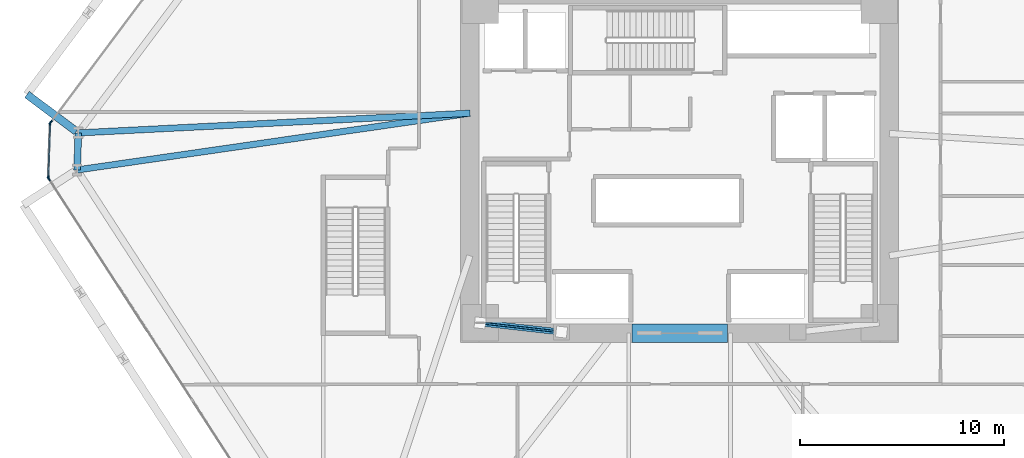
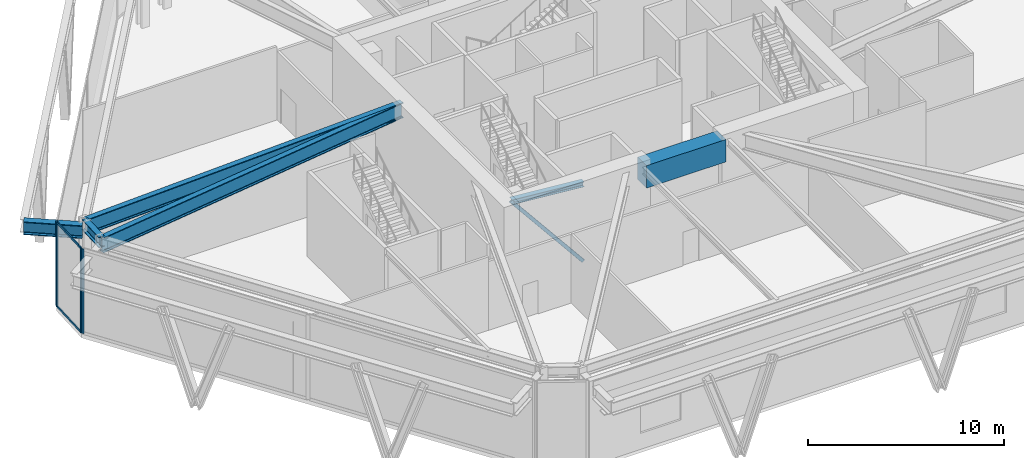
# One storey, part 4 of 19: 7 members, 6 beams, 3 elements without a shape of their own.
"""IFC4 building model written with IfcOpenShell, lengths in metres."""

from ifc_helpers import new_model, si_unit, direction, frame, origin, origin_2d, place, context, subcontext, project, spatial, rectangle, hollow_rectangle, i_section, extrude, source, transform, mapped, material, layer, layer_set, material_profile, profile_set, type_object, type_shapes, element, aggregate, save


model = new_model("IFC4")

# Units and contexts
model_context = context("Model", 3, precision=1e-05, world=origin(), true_north=direction((0.0, 1.0)))
body_context = subcontext(model_context, "Body", "Model", "MODEL_VIEW")
ifc_project = project(units=[si_unit("LENGTHUNIT", "METRE"), si_unit("AREAUNIT", "SQUARE_METRE"), si_unit("VOLUMEUNIT", "CUBIC_METRE"), si_unit("PLANEANGLEUNIT", "RADIAN"), si_unit("MASSUNIT", "GRAM", prefix="KILO")], contexts=[model_context])

# Site, building, storey
site_placement = place(None, origin())
site = spatial("IfcSite", under=ifc_project, at=site_placement, CompositionType="ELEMENT")
building_placement = place(site_placement, origin())
building = spatial("IfcBuilding", under=site, at=building_placement, Name="Durnholm Broadcast Tower", CompositionType="ELEMENT")
storey_placement = place(building_placement, frame((0.0, 0.0, 15.60009765625)))
storey = spatial("IfcBuildingStorey", under=building, at=storey_placement, Name="L03", CompositionType="ELEMENT", Elevation=15.60009765625)

# Beams
ifc_material_1 = material(Name="Concrete C70/85", Category="concrete")
ifc_material_profile_1 = material_profile(ifc_material_1, rectangle(XDim=0.89990234375, YDim=1.39990234375, at=origin_2d()), Name="RC900X1400")
ifc_profile_set_1 = profile_set([ifc_material_profile_1], Name="Concrete C70/85")
beam_type_1 = type_object("IfcBeamType", Name="BM-CB-RC1400", PredefinedType="LINTEL", material=ifc_profile_set_1)
shared_shape_1 = source(origin(), body_context, "Body", "SweptSolid", [
    extrude(rectangle(XDim=0.89990234375, YDim=1.39990234375, at=origin_2d()), origin(), (0.0, 0.0, 1.0), 4.7001953125),
])
type_shapes(beam_type_1, [shared_shape_1])
beam_1_placement = place(storey_placement, frame((-2.35009765625, -8.300048828125, 4.574951171875), z_axis=(1.0, 0.0, 0.0), x_axis=(0.0, 1.0, 0.0)))
element("IfcBeam", 1, at=beam_1_placement, inside=storey, type_object=beam_type_1, Name="L03 south core coupling lintel beam CB-S", PredefinedType="LINTEL", context=body_context, shape_type="MappedRepresentation", body=[
    mapped(shared_shape_1, transform((0.0, 0.0, 0.0), x_axis=(1.0, 0.0, 0.0), y_axis=(0.0, 1.0, 0.0), z_axis=(0.0, 0.0, 1.0), scale=1.0)),
])
ifc_material_2 = material(Name="Steel ASTM A992 Grade 50", Category="steel")
ifc_material_profile_2 = material_profile(ifc_material_2, i_section(OverallWidth=0.3330078125, OverallDepth=0.660888671875, WebThickness=0.0244140625, FlangeThickness=0.0439453125, FilletRadius=0.02783203125, at=origin_2d()), Name="W24X229")
ifc_profile_set_2 = profile_set([ifc_material_profile_2], Name="Steel ASTM A992 Grade 50")
beam_type_2 = type_object("IfcBeamType", Name="STL-SP-W24X229", PredefinedType="SPANDREL", material=ifc_profile_set_2)
shared_shape_2 = source(origin(), body_context, "Body", "SweptSolid", [
    extrude(i_section(OverallWidth=0.3330078125, OverallDepth=0.660888671875, WebThickness=0.0244140625, FlangeThickness=0.0439453125, FilletRadius=0.02783203125, at=origin_2d()), origin(), (0.0, 0.0, 1.0), 1.820068359375),
])
type_shapes(beam_type_2, [shared_shape_2])
beam_2_placement = place(storey_placement, frame((-29.590576171875, -0.28857421875, 4.934326171875), z_axis=(0.033667655889, 0.999433083776, 0.0), x_axis=(-0.999433083776, 0.033667655889, 0.0)))
element("IfcBeam", 2, at=beam_2_placement, inside=storey, type_object=beam_type_2, Name="L03 perimeter spandrel girder 02", PredefinedType="SPANDREL", context=body_context, shape_type="MappedRepresentation", body=[
    mapped(shared_shape_2, transform((0.0, 0.0, 0.0), x_axis=(1.0, 0.0, 0.0), y_axis=(0.0, 1.0, 0.0), z_axis=(0.0, 0.0, 1.0), scale=1.0)),
])
ifc_material_profile_3 = material_profile(ifc_material_2, i_section(OverallWidth=0.3046875, OverallDepth=0.307861328125, WebThickness=0.010009765625, FlangeThickness=0.015380859375, FilletRadius=0.019287109375, at=origin_2d()), Name="W12X65")
ifc_profile_set_3 = profile_set([ifc_material_profile_3], Name="Steel ASTM A992 Grade 50")
beam_type_3 = type_object("IfcBeamType", Name="STL-BL-W12X65", PredefinedType="LINTEL", material=ifc_profile_set_3)
shared_shape_3 = source(origin(), body_context, "Body", "SweptSolid", [
    extrude(i_section(OverallWidth=0.3046875, OverallDepth=0.307861328125, WebThickness=0.010009765625, FlangeThickness=0.015380859375, FilletRadius=0.019287109375, at=origin_2d()), origin(), (0.0, 0.0, 1.0), 4.025146484375),
])
type_shapes(beam_type_3, [shared_shape_3])
beam_3_placement = place(storey_placement, frame((-5.800048828125, -8.25, 5.111083984375), z_axis=(-0.993732663715, 0.111782794142, 0.0), x_axis=(-0.111782794142, -0.993732663715, 0.0)))
element("IfcBeam", 3, at=beam_3_placement, inside=storey, type_object=beam_type_3, Name="L03 west pilaster tie lintel", PredefinedType="LINTEL", context=body_context, shape_type="MappedRepresentation", body=[
    mapped(shared_shape_3, transform((0.0, 0.0, 0.0), x_axis=(1.0, 0.0, 0.0), y_axis=(0.0, 1.0, 0.0), z_axis=(0.0, 0.0, 1.0), scale=1.0)),
])
ifc_material_profile_4 = material_profile(ifc_material_2, i_section(OverallWidth=0.385009765625, OverallDepth=0.802978515625, WebThickness=0.023681640625, FlangeThickness=0.0419921875, FilletRadius=0.032958984375, at=origin_2d()), Name="W30X261")
ifc_profile_set_4 = profile_set([ifc_material_profile_4], Name="Steel ASTM A992 Grade 50")
beam_type_4 = type_object("IfcBeamType", Name="BM-EXO-TIE", PredefinedType="USERDEFINED", material=ifc_profile_set_4)
shared_shape_4 = source(origin(), body_context, "Body", "SweptSolid", [
    extrude(i_section(OverallWidth=0.385009765625, OverallDepth=0.802978515625, WebThickness=0.023681640625, FlangeThickness=0.0419921875, FilletRadius=0.032958984375, at=origin_2d()), origin(), (0.0, 0.0, 1.0), 3.024169921875),
])
type_shapes(beam_type_4, [shared_shape_4])
beam_4_placement = place(storey_placement, frame((-29.63037109375, 1.60595703125, 4.5283203125), z_axis=(-0.800609912919, 0.599185920509, 0.0), x_axis=(-0.599185920509, -0.800609912919, 0.0)))
element("IfcBeam", 4, at=beam_4_placement, inside=storey, type_object=beam_type_4, Name="L03 exoskeleton stand-off tie bracket F5.2", ObjectType="GIRDER", PredefinedType="USERDEFINED", context=body_context, shape_type="MappedRepresentation", body=[
    mapped(shared_shape_4, transform((0.0, 0.0, 0.0), x_axis=(1.0, 0.0, 0.0), y_axis=(0.0, 1.0, 0.0), z_axis=(0.0, 0.0, 1.0), scale=1.0)),
])
ifc_material_profile_5 = material_profile(ifc_material_2, i_section(OverallWidth=0.310302734375, OverallDepth=0.950439453125, WebThickness=0.0244140625, FlangeThickness=0.0439453125, FilletRadius=0.0380859375, at=origin_2d()), Name="W36X256")
ifc_profile_set_5 = profile_set([ifc_material_profile_5], Name="Steel ASTM A992 Grade 50")
beam_type_5 = type_object("IfcBeamType", Name="STL-GR-W36X256", PredefinedType="USERDEFINED", material=ifc_profile_set_5)
shared_shape_5 = source(origin(), body_context, "Body", "SweptSolid", [
    extrude(i_section(OverallWidth=0.310302734375, OverallDepth=0.950439453125, WebThickness=0.0244140625, FlangeThickness=0.0439453125, FilletRadius=0.0380859375, at=origin_2d()), origin(), (0.0, 0.0, 1.0), 19.490966796875),
])
beam_5_placement = place(storey_placement, frame((-10.300048828125, 2.5, 4.78955078125), z_axis=(-0.989712636446, -0.143069553921, 0.0), x_axis=(0.143069553921, -0.989712636446, 0.0)))
element("IfcBeam", 5, at=beam_5_placement, inside=storey, type_object=beam_type_5, Name="L03 radial primary floor girder 02", ObjectType="GIRDER", PredefinedType="USERDEFINED", context=body_context, shape_type="MappedRepresentation", body=[
    mapped(shared_shape_5, transform((0.0, 0.0, 0.0), x_axis=(1.0, 0.0, 0.0), y_axis=(0.0, 1.0, 0.0), z_axis=(0.0, 0.0, 1.0), scale=1.0)),
])
shared_shape_6 = source(origin(), body_context, "Body", "SweptSolid", [
    extrude(i_section(OverallWidth=0.310302734375, OverallDepth=0.950439453125, WebThickness=0.0244140625, FlangeThickness=0.0439453125, FilletRadius=0.0380859375, at=origin_2d()), origin(), (0.0, 0.0, 1.0), 19.253662109375),
])
type_shapes(beam_type_5, [shared_shape_5, shared_shape_6])
beam_6_placement = place(storey_placement, frame((-10.300048828125, 2.5, 4.78955078125), z_axis=(-0.998731477139, -0.050353118796, 0.0), x_axis=(0.050353118796, -0.998731477139, 0.0)))
element("IfcBeam", 6, at=beam_6_placement, inside=storey, type_object=beam_type_5, Name="L03 radial primary floor girder 03", ObjectType="GIRDER", PredefinedType="USERDEFINED", context=body_context, shape_type="MappedRepresentation", body=[
    mapped(shared_shape_6, transform((0.0, 0.0, 0.0), x_axis=(1.0, 0.0, 0.0), y_axis=(0.0, 1.0, 0.0), z_axis=(0.0, 0.0, 1.0), scale=1.0)),
])

# Member
ifc_material_3 = material(Name="Steel ASTM A500 Grade C", Category="steel")
ifc_material_profile_6 = material_profile(ifc_material_3, hollow_rectangle(XDim=0.1015625, YDim=0.203125, WallThickness=0.00732421875, InnerFilletRadius=0.010986328125, OuterFilletRadius=0.0185546875, at=origin_2d()), Name="HSS8X4X5/16")
ifc_profile_set_6 = profile_set([ifc_material_profile_6], Name="Steel ASTM A500 Grade C")
member_type_1 = type_object("IfcMemberType", Name="STL-STG-HSS8X4", PredefinedType="STRINGER", material=ifc_profile_set_6)
shared_shape_7 = source(origin(), body_context, "Body", "SweptSolid", [
    extrude(hollow_rectangle(XDim=0.1015625, YDim=0.203125, WallThickness=0.00732421875, InnerFilletRadius=0.010986328125, OuterFilletRadius=0.0185546875, at=origin_2d()), origin(), (0.0, 0.0, 1.0), 6.311279296875),
])
type_shapes(member_type_1, [shared_shape_7])
member_1_placement = place(storey_placement, frame((-5.800048828125, -8.25, 0.25), z_axis=(-0.63378316487, 0.071292869437, 0.770218298079), x_axis=(-0.111782794142, -0.993732663715, 0.0)))
element("IfcMember", 7, at=member_1_placement, inside=storey, type_object=member_type_1, Name="L03 core gallery steel stringer brace", PredefinedType="STRINGER", context=body_context, shape_type="MappedRepresentation", body=[
    mapped(shared_shape_7, transform((0.0, 0.0, 0.0), x_axis=(1.0, 0.0, 0.0), y_axis=(0.0, 1.0, 0.0), z_axis=(0.0, 0.0, 1.0), scale=1.0)),
])

# Curtain wall, members
ifc_material_4 = material(Name="Aluminium and Solar Control IGU", Category="aluminium")
ifc_layer_1 = layer(ifc_material_4, 0.1650390625)
ifc_layer_set_1 = layer_set([ifc_layer_1], Name="Aluminium and Solar Control IGU")
curtain_wall_type_1 = type_object("IfcCurtainWallType", Name="CW-SYS-5", PredefinedType="NOTDEFINED", material=ifc_layer_set_1)
curtain_wall_1_placement = place(storey_placement, origin())
curtain_wall_1 = element("IfcCurtainWall", 8, at=curtain_wall_1_placement, inside=storey, type_object=curtain_wall_type_1, Name="L03 curtain wall CW-CORNER CW-L03-CRN-01", PredefinedType="NOTDEFINED")
ifc_material_5 = material(Name="Aluminium 6063-T6", Category="aluminium")
ifc_material_profile_7 = material_profile(ifc_material_5, rectangle(XDim=0.06494140625, YDim=0.1650390625, at=origin_2d()), Name="CWM65X165")
ifc_profile_set_7 = profile_set([ifc_material_profile_7], Name="Aluminium 6063-T6")
member_type_2 = type_object("IfcMemberType", Name="CW-SYS-5-MUL", PredefinedType="MULLION", material=ifc_profile_set_7)
shared_shape_8 = source(origin(), body_context, "Body", "SweptSolid", [
    extrude(rectangle(XDim=0.06494140625, YDim=0.1650390625, at=origin_2d()), origin(), (0.0, 0.0, 1.0), 5.27978515625),
])
type_shapes(member_type_2, [shared_shape_8])
member_2_placement = place(storey_placement, frame((-31.00341796875, -0.64892578125, 0.0), z_axis=(0.0, 0.0, 1.0), x_axis=(-0.999436820621, 0.033556543118, 0.0)))
member_2 = element("IfcMember", 9, at=member_2_placement, type_object=member_type_2, Name="CW-CORNER mullion 1", PredefinedType="MULLION", context=body_context, shape_type="MappedRepresentation", body=[
    mapped(shared_shape_8, transform((0.0, 0.0, 0.0), x_axis=(1.0, 0.0, 0.0), y_axis=(0.0, 1.0, 0.0), z_axis=(0.0, 0.0, 1.0), scale=1.0)),
])
member_3_placement = place(storey_placement, frame((-30.9150390625, 1.984619140625, 0.0), z_axis=(0.0, 0.0, 1.0), x_axis=(-0.999436820621, 0.033556543118, 0.0)))
member_3 = element("IfcMember", 10, at=member_3_placement, type_object=member_type_2, Name="CW-CORNER mullion 2", PredefinedType="MULLION", context=body_context, shape_type="MappedRepresentation", body=[
    mapped(shared_shape_8, transform((0.0, 0.0, 0.0), x_axis=(1.0, 0.0, 0.0), y_axis=(0.0, 1.0, 0.0), z_axis=(0.0, 0.0, 1.0), scale=1.0)),
])
ifc_material_profile_8 = material_profile(ifc_material_5, rectangle(XDim=0.06494140625, YDim=0.1298828125, at=origin_2d()), Name="CWT65X130")
ifc_profile_set_8 = profile_set([ifc_material_profile_8], Name="Aluminium 6063-T6")
member_type_3 = type_object("IfcMemberType", Name="CW-SYS-5-TRN", PredefinedType="USERDEFINED", material=ifc_profile_set_8)
shared_shape_9 = source(origin(), body_context, "Body", "SweptSolid", [
    extrude(rectangle(XDim=0.06494140625, YDim=0.1298828125, at=origin_2d()), origin(), (0.0, 0.0, 1.0), 2.570068359375),
])
type_shapes(member_type_3, [shared_shape_9])
member_4_placement = place(storey_placement, frame((-31.002197265625, -0.616455078125, 0.032470703125), z_axis=(0.033533074398, 0.999437608319, 0.0), x_axis=(-0.999437608319, 0.033533074398, 0.0)))
member_4 = element("IfcMember", 11, at=member_4_placement, type_object=member_type_3, Name="CW-CORNER transom 1.1", ObjectType="TRANSOM", PredefinedType="USERDEFINED", context=body_context, shape_type="MappedRepresentation", body=[
    mapped(shared_shape_9, transform((0.0, 0.0, 0.0), x_axis=(1.0, 0.0, 0.0), y_axis=(0.0, 1.0, 0.0), z_axis=(0.0, 0.0, 1.0), scale=1.0)),
])
member_5_placement = place(storey_placement, frame((-31.002197265625, -0.616455078125, 5.247314453125), z_axis=(0.033533074398, 0.999437608319, 0.0), x_axis=(-0.999437608319, 0.033533074398, 0.0)))
member_5 = element("IfcMember", 12, at=member_5_placement, type_object=member_type_3, Name="CW-CORNER transom 1.2", ObjectType="TRANSOM", PredefinedType="USERDEFINED", context=body_context, shape_type="MappedRepresentation", body=[
    mapped(shared_shape_9, transform((0.0, 0.0, 0.0), x_axis=(1.0, 0.0, 0.0), y_axis=(0.0, 1.0, 0.0), z_axis=(0.0, 0.0, 1.0), scale=1.0)),
])
aggregate(curtain_wall_1, [member_2, member_3, member_4, member_5])

# Curtain wall, member
ifc_layer_2 = layer(ifc_material_4, 0.219970703125)
ifc_layer_set_2 = layer_set([ifc_layer_2], Name="Aluminium and Solar Control IGU")
curtain_wall_type_2 = type_object("IfcCurtainWallType", Name="CW-SYS-2", PredefinedType="NOTDEFINED", material=ifc_layer_set_2)
curtain_wall_2_placement = place(storey_placement, origin())
curtain_wall_2 = element("IfcCurtainWall", 13, at=curtain_wall_2_placement, inside=storey, type_object=curtain_wall_type_2, Name="L03 curtain wall CW-STUDIO CW-L03-F02", PredefinedType="NOTDEFINED")
ifc_material_profile_9 = material_profile(ifc_material_5, rectangle(XDim=0.074951171875, YDim=0.219970703125, at=origin_2d()), Name="CWM75X220")
ifc_profile_set_9 = profile_set([ifc_material_profile_9], Name="Aluminium 6063-T6")
member_type_4 = type_object("IfcMemberType", Name="CW-SYS-2-MUL", PredefinedType="MULLION", material=ifc_profile_set_9)
shared_shape_10 = source(origin(), body_context, "Body", "SweptSolid", [
    extrude(rectangle(XDim=0.074951171875, YDim=0.219970703125, at=origin_2d()), origin(), (0.0, 0.0, 1.0), 5.27978515625),
])
type_shapes(member_type_4, [shared_shape_10])
member_6_placement = place(storey_placement, frame((-30.891357421875, 2.047119140625, 0.0), z_axis=(0.0, 0.0, 1.0), x_axis=(-0.800631836327, 0.59915662615, 0.0)))
member_6 = element("IfcMember", 14, at=member_6_placement, type_object=member_type_4, Name="CW-STUDIO mullion 1", PredefinedType="MULLION", context=body_context, shape_type="MappedRepresentation", body=[
    mapped(shared_shape_10, transform((0.0, 0.0, 0.0), x_axis=(1.0, 0.0, 0.0), y_axis=(0.0, 1.0, 0.0), z_axis=(0.0, 0.0, 1.0), scale=1.0)),
])
aggregate(curtain_wall_2, [member_6])

curtain_wall_3_placement = place(storey_placement, origin())
curtain_wall_3 = element("IfcCurtainWall", 15, at=curtain_wall_3_placement, inside=storey, type_object=curtain_wall_type_2, Name="L03 curtain wall CW-STUDIO CW-L03-F12", PredefinedType="NOTDEFINED")
member_7_placement = place(storey_placement, frame((-30.984130859375, -0.712646484375, 0.0), z_axis=(0.0, 0.0, 1.0), x_axis=(-0.839009373297, -0.544116964926, 0.0)))
member_7 = element("IfcMember", 16, at=member_7_placement, type_object=member_type_4, Name="CW-STUDIO mullion 3", PredefinedType="MULLION", context=body_context, shape_type="MappedRepresentation", body=[
    mapped(shared_shape_10, transform((0.0, 0.0, 0.0), x_axis=(1.0, 0.0, 0.0), y_axis=(0.0, 1.0, 0.0), z_axis=(0.0, 0.0, 1.0), scale=1.0)),
])
aggregate(curtain_wall_3, [member_7])

save(model, "model.ifc")
